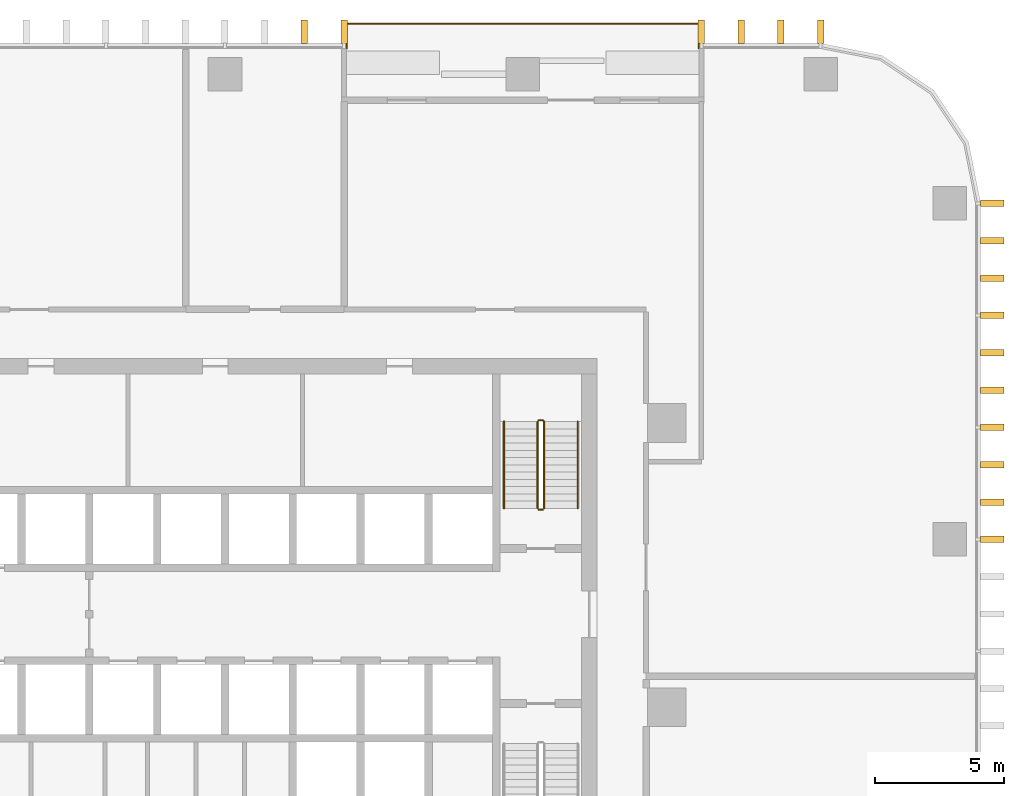
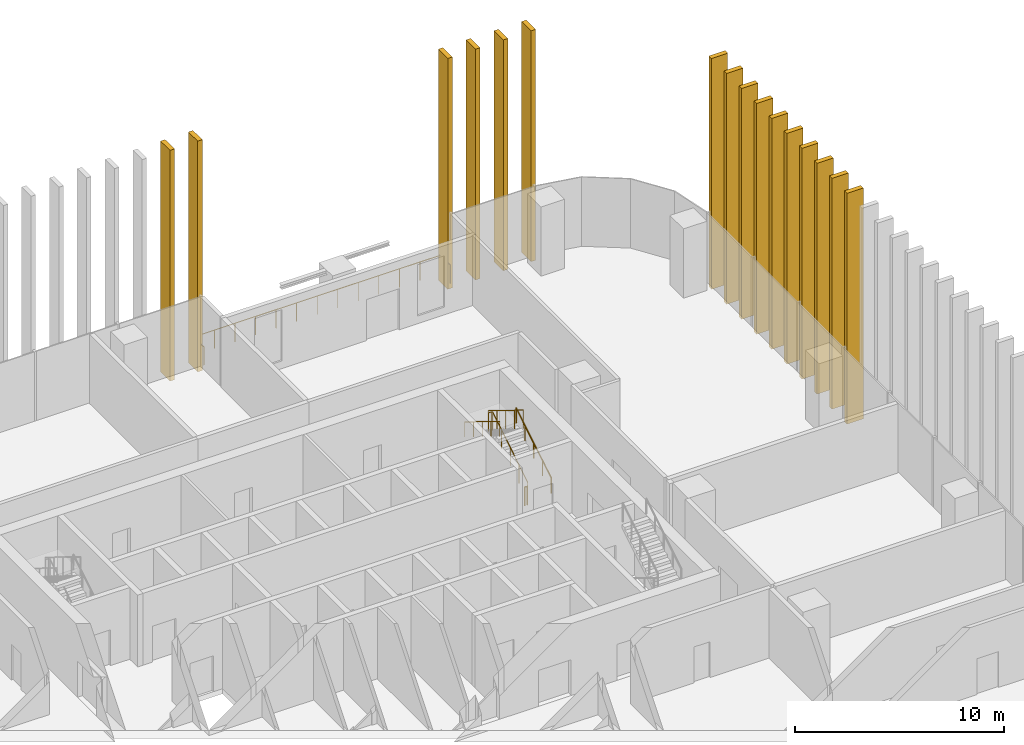
# One storey, part 17 of 17: 16 shading devices, 6 railings.
"""IFC4 building model written with IfcOpenShell, lengths in metres."""

from ifc_helpers import new_model, si_unit, direction, frame, origin, origin_2d, place, context, subcontext, project, spatial, rectangle, circle, extrude, material, type_object, element, save


model = new_model("IFC4")

# Units and contexts
model_context = context("Model", 3, precision=1e-05, world=origin(), true_north=direction((0.0, 1.0)))
body_context = subcontext(model_context, "Body", "Model", "MODEL_VIEW")
ifc_project = project(units=[si_unit("LENGTHUNIT", "METRE"), si_unit("AREAUNIT", "SQUARE_METRE"), si_unit("VOLUMEUNIT", "CUBIC_METRE"), si_unit("PLANEANGLEUNIT", "RADIAN"), si_unit("MASSUNIT", "GRAM", prefix="KILO")], contexts=[model_context])

# Site, building, storey
site_placement = place(None, origin())
site = spatial("IfcSite", under=ifc_project, at=site_placement, CompositionType="ELEMENT")
building_placement = place(site_placement, origin())
building = spatial("IfcBuilding", under=site, at=building_placement, Name="Mopane Tessera Tower", CompositionType="ELEMENT")
storey_placement = place(building_placement, frame((0.0, 0.0, 108.10009765625)))
storey = spatial("IfcBuildingStorey", under=building, at=storey_placement, Name="L21", CompositionType="ELEMENT", Elevation=108.10009765625)

# Shading devices
ifc_material_1 = material(Name="Glazed ceramic tile")
shading_device_type = type_object("IfcShadingDeviceType", Name="Ceramic tile fin 900 x 250 mm", PredefinedType="USERDEFINED", material=ifc_material_1)
for number, where, z_axis, x_axis, name in (
    (1, (29.699951171875, 6.5, -0.4501953125), (0.0, 0.0, 1.0), (0.0, 1.0, 0.0), "e:fin:L21:E:6:0"),
    (2, (29.699951171875, 7.9443359375, -0.4501953125), (0.0, 0.0, 1.0), (0.0, 1.0, 0.0), "e:fin:L21:E:6:1"),
    (3, (29.699951171875, 9.388916015625, -0.4501953125), (0.0, 0.0, 1.0), (0.0, 1.0, 0.0), "e:fin:L21:E:6:2"),
    (4, (29.699951171875, 10.833251953125, -0.4501953125), (0.0, 0.0, 1.0), (0.0, 1.0, 0.0), "e:fin:L21:E:7:0"),
    (5, (29.699951171875, 12.27783203125, -0.4501953125), (0.0, 0.0, 1.0), (0.0, 1.0, 0.0), "e:fin:L21:E:7:1"),
    (6, (29.699951171875, 13.72216796875, -0.4501953125), (0.0, 0.0, 1.0), (0.0, 1.0, 0.0), "e:fin:L21:E:7:2"),
    (7, (29.699951171875, 15.166748046875, -0.4501953125), (0.0, 0.0, 1.0), (0.0, 1.0, 0.0), "e:fin:L21:E:8:0"),
    (8, (29.699951171875, 16.611083984375, -0.4501953125), (0.0, 0.0, 1.0), (0.0, 1.0, 0.0), "e:fin:L21:E:8:1"),
    (9, (29.699951171875, 18.0556640625, -0.4501953125), (0.0, 0.0, 1.0), (0.0, 1.0, 0.0), "e:fin:L21:E:8:2"),
    (10, (29.699951171875, 19.5, -0.4501953125), (0.0, 0.0, 1.0), (0.0, 1.0, 0.0), "e:fin:L21:E:8:3"),
    (11, (23.050048828125, 26.14990234375, -0.4501953125), (0.0, 0.0, 1.0), (-1.0, 0.0, 0.0), "e:fin:L21:N:0:0"),
    (12, (21.513427734375, 26.14990234375, -0.4501953125), (0.0, 0.0, 1.0), (-1.0, 0.0, 0.0), "e:fin:L21:N:0:1"),
    (13, (19.9765625, 26.14990234375, -0.4501953125), (0.0, 0.0, 1.0), (-1.0, 0.0, 0.0), "e:fin:L21:N:0:2"),
    (14, (18.43994140625, 26.14990234375, -0.4501953125), (0.0, 0.0, 1.0), (-1.0, 0.0, 0.0), "e:fin:L21:N:0:3"),
    (15, (4.610107421875, 26.14990234375, -0.4501953125), (0.0, 0.0, 1.0), (-1.0, 0.0, 0.0), "e:fin:L21:N:4:0"),
    (16, (3.0732421875, 26.14990234375, -0.4501953125), (0.0, 0.0, 1.0), (-1.0, 0.0, 0.0), "e:fin:L21:N:4:1"),
):
    element("IfcShadingDevice", number, at=place(storey_placement, frame(where, z_axis=z_axis, x_axis=x_axis)), inside=storey, type_object=shading_device_type, Name=name, ObjectType="FIN", PredefinedType="USERDEFINED", context=body_context, shape_type="SweptSolid", body=[
        extrude(rectangle(XDim=0.25, YDim=0.89990234375, at=origin_2d()), origin(), (0.0, 0.0, 1.0), 13.5),
    ])

# Railings
ifc_material_2 = material(Name="Powder-coated steel balustrade", Category="steel")
railing_type_1 = type_object("IfcRailingType", Name="Escape stair guard 1100 mm", PredefinedType="GUARDRAIL", material=ifc_material_2)
railing_1_placement = place(storey_placement, frame((12.35009765625, 7.699951171875, 0.173095703125)))
element("IfcRailing", 17, at=railing_1_placement, inside=storey, type_object=railing_type_1, Name="L21 ST4 stair guard 1", PredefinedType="GUARDRAIL", context=body_context, shape_type="SweptSolid", body=[
    extrude(circle(Radius=0.02392578125, at=origin_2d()), frame((0.0, 0.0, 1.076171875), z_axis=(0.0, 0.850623216509, 0.525775754039), x_axis=(-1.0, 0.0, 0.0)), (0.0, 0.0, 1.0), 3.9501953125),
    extrude(circle(Radius=0.02392578125, at=origin_2d()), frame((0.0, 3.360107421875, 3.15283203125), z_axis=(-0.707106781187, 0.707106781187, 0.0), x_axis=(-0.707106781187, -0.707106781187, 0.0)), (0.0, 0.0, 1.0), 0.07080078125),
    extrude(circle(Radius=0.02392578125, at=origin_2d()), frame((-0.050048828125, 3.41015625, 3.15283203125), z_axis=(-1.0, 0.0, 0.0), x_axis=(0.0, -1.0, 0.0)), (0.0, 0.0, 1.0), 0.150146484375),
    extrude(circle(Radius=0.02099609375, at=origin_2d()), origin(), (0.0, 0.0, 1.0), 1.052001953125),
    extrude(circle(Radius=0.02099609375, at=origin_2d()), frame((0.0, 0.840087890625, 0.519287109375)), (0.0, 0.0, 1.0), 1.052001953125),
    extrude(circle(Radius=0.02099609375, at=origin_2d()), frame((0.0, 1.68017578125, 1.03857421875)), (0.0, 0.0, 1.0), 1.052001953125),
    extrude(circle(Radius=0.02099609375, at=origin_2d()), frame((0.0, 2.52001953125, 1.5576171875)), (0.0, 0.0, 1.0), 1.052001953125),
    extrude(circle(Radius=0.02099609375, at=origin_2d()), frame((0.0, 3.360107421875, 2.076904296875)), (0.0, 0.0, 1.0), 1.052001953125),
    extrude(circle(Radius=0.02099609375, at=origin_2d()), frame((-0.050048828125, 3.41015625, 2.076904296875)), (0.0, 0.0, 1.0), 1.052001953125),
    extrude(circle(Radius=0.02099609375, at=origin_2d()), frame((-0.2001953125, 3.41015625, 2.076904296875)), (0.0, 0.0, 1.0), 1.052001953125),
])
railing_2_placement = place(storey_placement, frame((12.10009765625, 11.06005859375, 2.423095703125)))
element("IfcRailing", 18, at=railing_2_placement, inside=storey, type_object=railing_type_1, Name="L21 ST4 stair guard 2", PredefinedType="GUARDRAIL", context=body_context, shape_type="SweptSolid", body=[
    extrude(circle(Radius=0.02392578125, at=origin_2d()), frame((0.0, 0.0, 1.076171875), z_axis=(0.0, -0.850623216509, 0.525775754039), x_axis=(1.0, 0.0, 0.0)), (0.0, 0.0, 1.0), 3.9501953125),
    extrude(circle(Radius=0.02099609375, at=origin_2d()), origin(), (0.0, 0.0, 1.0), 1.052001953125),
    extrude(circle(Radius=0.02099609375, at=origin_2d()), frame((0.0, -0.840087890625, 0.519287109375)), (0.0, 0.0, 1.0), 1.052001953125),
    extrude(circle(Radius=0.02099609375, at=origin_2d()), frame((0.0, -1.68017578125, 1.03857421875)), (0.0, 0.0, 1.0), 1.052001953125),
    extrude(circle(Radius=0.02099609375, at=origin_2d()), frame((0.0, -2.52001953125, 1.5576171875)), (0.0, 0.0, 1.0), 1.052001953125),
    extrude(circle(Radius=0.02099609375, at=origin_2d()), frame((0.0, -3.360107421875, 2.076904296875)), (0.0, 0.0, 1.0), 1.052001953125),
])
railing_3_placement = place(storey_placement, frame((12.300048828125, 7.64990234375, 0.0)))
element("IfcRailing", 19, at=railing_3_placement, inside=storey, type_object=railing_type_1, Name="L21 ST4 stair guard 3", PredefinedType="GUARDRAIL", context=body_context, shape_type="SweptSolid", body=[
    extrude(circle(Radius=0.02392578125, at=origin_2d()), frame((0.0, 0.0, 1.076171875), z_axis=(-1.0, 0.0, 0.0), x_axis=(0.0, -1.0, 0.0)), (0.0, 0.0, 1.0), 0.150146484375),
    extrude(circle(Radius=0.02099609375, at=origin_2d()), origin(), (0.0, 0.0, 1.0), 1.052001953125),
    extrude(circle(Radius=0.02099609375, at=origin_2d()), frame((-0.150146484375, 0.0, 0.0)), (0.0, 0.0, 1.0), 1.052001953125),
])
ifc_material_3 = material(Name="Powder-coated steel balustrade", Category="steel")
railing_type_2 = type_object("IfcRailingType", Name="Escape stair handrail 900 mm", PredefinedType="HANDRAIL", material=ifc_material_3)
railing_4_placement = place(storey_placement, frame((13.64990234375, 7.699951171875, 0.173095703125)))
element("IfcRailing", 20, at=railing_4_placement, inside=storey, type_object=railing_type_2, Name="L21 ST4 stair handrail 1", PredefinedType="HANDRAIL", context=body_context, shape_type="SweptSolid", body=[
    extrude(circle(Radius=0.02392578125, at=origin_2d()), frame((0.0, 0.0, 0.8759765625), z_axis=(0.0, 0.850623216509, 0.525775754039), x_axis=(-1.0, 0.0, 0.0)), (0.0, 0.0, 1.0), 3.9501953125),
    extrude(circle(Radius=0.02099609375, at=origin_2d()), origin(), (0.0, 0.0, 1.0), 0.851806640625),
    extrude(circle(Radius=0.02099609375, at=origin_2d()), frame((0.0, 0.840087890625, 0.519287109375)), (0.0, 0.0, 1.0), 0.851806640625),
    extrude(circle(Radius=0.02099609375, at=origin_2d()), frame((0.0, 1.68017578125, 1.03857421875)), (0.0, 0.0, 1.0), 0.851806640625),
    extrude(circle(Radius=0.02099609375, at=origin_2d()), frame((0.0, 2.52001953125, 1.5576171875)), (0.0, 0.0, 1.0), 0.851806640625),
    extrude(circle(Radius=0.02099609375, at=origin_2d()), frame((0.0, 3.360107421875, 2.076904296875)), (0.0, 0.0, 1.0), 0.851806640625),
])
railing_5_placement = place(storey_placement, frame((10.800048828125, 11.06005859375, 2.423095703125)))
element("IfcRailing", 21, at=railing_5_placement, inside=storey, type_object=railing_type_2, Name="L21 ST4 stair handrail 2", PredefinedType="HANDRAIL", context=body_context, shape_type="SweptSolid", body=[
    extrude(circle(Radius=0.02392578125, at=origin_2d()), frame((0.0, 0.0, 0.8759765625), z_axis=(0.0, -0.850623216509, 0.525775754039), x_axis=(1.0, 0.0, 0.0)), (0.0, 0.0, 1.0), 3.9501953125),
    extrude(circle(Radius=0.02099609375, at=origin_2d()), origin(), (0.0, 0.0, 1.0), 0.851806640625),
    extrude(circle(Radius=0.02099609375, at=origin_2d()), frame((0.0, -0.840087890625, 0.519287109375)), (0.0, 0.0, 1.0), 0.851806640625),
    extrude(circle(Radius=0.02099609375, at=origin_2d()), frame((0.0, -1.68017578125, 1.03857421875)), (0.0, 0.0, 1.0), 0.851806640625),
    extrude(circle(Radius=0.02099609375, at=origin_2d()), frame((0.0, -2.52001953125, 1.5576171875)), (0.0, 0.0, 1.0), 0.851806640625),
    extrude(circle(Radius=0.02099609375, at=origin_2d()), frame((0.0, -3.360107421875, 2.076904296875)), (0.0, 0.0, 1.0), 0.851806640625),
])
ifc_material_4 = material(Name="Stainless steel S316", Category="steel")
railing_type_3 = type_object("IfcRailingType", Name="Terrace guard 1100", PredefinedType="GUARDRAIL", material=ifc_material_4)
railing_6_placement = place(storey_placement, frame((18.340087890625, 25.5, 0.0)))
element("IfcRailing", 22, at=railing_6_placement, inside=storey, type_object=railing_type_3, Name="e:nw:L21:N1:guard", PredefinedType="GUARDRAIL", context=body_context, shape_type="SweptSolid", body=[
    extrude(circle(Radius=0.02392578125, at=origin_2d()), frame((0.0, 0.0, 1.076171875), z_axis=(0.0, 1.0, 0.0), x_axis=(-1.0, 0.0, 0.0)), (0.0, 0.0, 1.0), 0.949951171875),
    extrude(circle(Radius=0.02392578125, at=origin_2d()), frame((0.0, 0.949951171875, 1.076171875), z_axis=(-1.0, 0.0, 0.0), x_axis=(0.0, -1.0, 0.0)), (0.0, 0.0, 1.0), 13.630126953125),
    extrude(circle(Radius=0.02392578125, at=origin_2d()), frame((-13.630126953125, 0.949951171875, 1.076171875), z_axis=(0.0, -1.0, 0.0), x_axis=(1.0, 0.0, 0.0)), (0.0, 0.0, 1.0), 0.949951171875),
    extrude(circle(Radius=0.02099609375, at=origin_2d()), origin(), (0.0, 0.0, 1.0), 1.052001953125),
    extrude(circle(Radius=0.02099609375, at=origin_2d()), frame((0.0, 0.949951171875, 0.0)), (0.0, 0.0, 1.0), 1.052001953125),
    extrude(circle(Radius=0.02099609375, at=origin_2d()), frame((-1.1357421875, 0.949951171875, 0.0)), (0.0, 0.0, 1.0), 1.052001953125),
    extrude(circle(Radius=0.02099609375, at=origin_2d()), frame((-2.271728515625, 0.949951171875, 0.0)), (0.0, 0.0, 1.0), 1.052001953125),
    extrude(circle(Radius=0.02099609375, at=origin_2d()), frame((-3.407470703125, 0.949951171875, 0.0)), (0.0, 0.0, 1.0), 1.052001953125),
    extrude(circle(Radius=0.02099609375, at=origin_2d()), frame((-4.54345703125, 0.949951171875, 0.0)), (0.0, 0.0, 1.0), 1.052001953125),
    extrude(circle(Radius=0.02099609375, at=origin_2d()), frame((-5.67919921875, 0.949951171875, 0.0)), (0.0, 0.0, 1.0), 1.052001953125),
    extrude(circle(Radius=0.02099609375, at=origin_2d()), frame((-6.81494140625, 0.949951171875, 0.0)), (0.0, 0.0, 1.0), 1.052001953125),
    extrude(circle(Radius=0.02099609375, at=origin_2d()), frame((-7.950927734375, 0.949951171875, 0.0)), (0.0, 0.0, 1.0), 1.052001953125),
    extrude(circle(Radius=0.02099609375, at=origin_2d()), frame((-9.086669921875, 0.949951171875, 0.0)), (0.0, 0.0, 1.0), 1.052001953125),
    extrude(circle(Radius=0.02099609375, at=origin_2d()), frame((-10.22265625, 0.949951171875, 0.0)), (0.0, 0.0, 1.0), 1.052001953125),
    extrude(circle(Radius=0.02099609375, at=origin_2d()), frame((-11.3583984375, 0.949951171875, 0.0)), (0.0, 0.0, 1.0), 1.052001953125),
    extrude(circle(Radius=0.02099609375, at=origin_2d()), frame((-12.494384765625, 0.949951171875, 0.0)), (0.0, 0.0, 1.0), 1.052001953125),
    extrude(circle(Radius=0.02099609375, at=origin_2d()), frame((-13.630126953125, 0.949951171875, 0.0)), (0.0, 0.0, 1.0), 1.052001953125),
    extrude(circle(Radius=0.02099609375, at=origin_2d()), frame((-13.630126953125, 0.0, 0.0)), (0.0, 0.0, 1.0), 1.052001953125),
])

save(model, "model.ifc")
